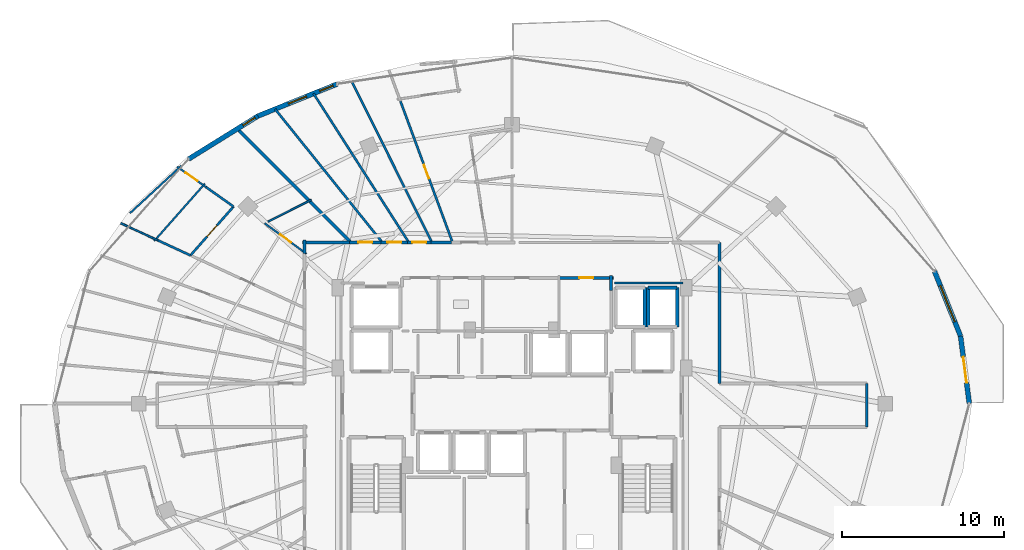
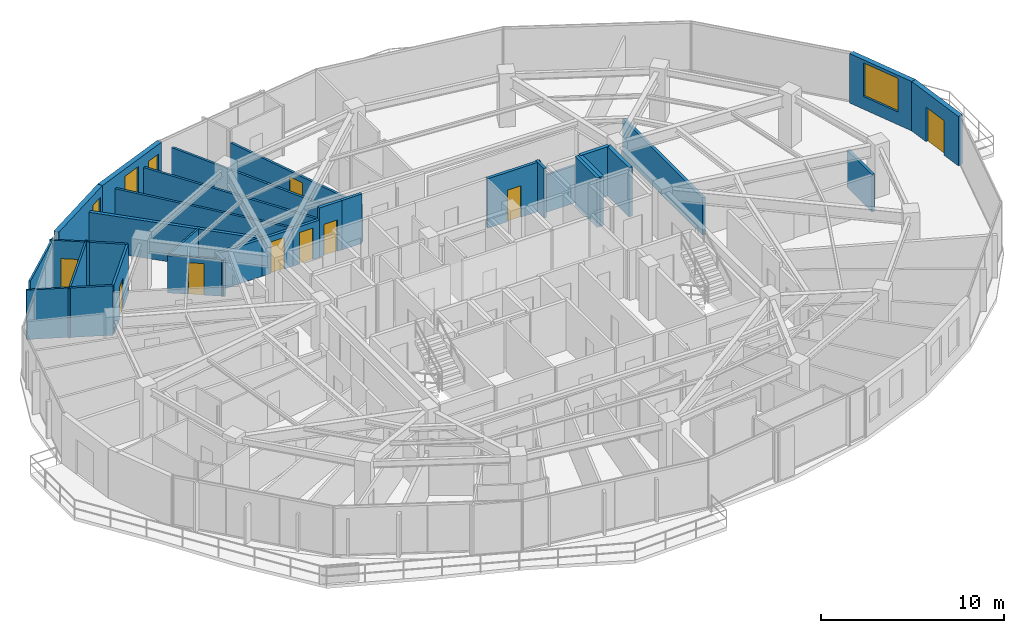
# One storey, part 29 of 33: 33 walls, 9 doors, 4 windows, 13 openings.
"""IFC4 building model written with IfcOpenShell, lengths in metres."""

from ifc_helpers import new_model, si_unit, direction, frame, frame_2d, origin, place, context, subcontext, project, spatial, rectangle, extrude, material, layer, layer_set, type_object, element, fill, save


model = new_model("IFC4")

# Units and contexts
model_context = context("Model", 3, precision=1e-05, world=origin(), true_north=direction((0.0, 1.0)))
body_context = subcontext(model_context, "Body", "Model", "MODEL_VIEW")
ifc_project = project(units=[si_unit("LENGTHUNIT", "METRE"), si_unit("AREAUNIT", "SQUARE_METRE"), si_unit("VOLUMEUNIT", "CUBIC_METRE"), si_unit("PLANEANGLEUNIT", "RADIAN"), si_unit("MASSUNIT", "GRAM", prefix="KILO")], contexts=[model_context])

# Site, building, storey
site_placement = place(None, origin())
site = spatial("IfcSite", under=ifc_project, at=site_placement, CompositionType="ELEMENT")
building_placement = place(site_placement, origin())
building = spatial("IfcBuilding", under=site, at=building_placement, Name="Vorneva Point Tower", CompositionType="ELEMENT")
storey_placement = place(building_placement, frame((0.0, 0.0, 200.10009765625)))
storey = spatial("IfcBuildingStorey", under=building, at=storey_placement, Name="L54", CompositionType="ELEMENT", Elevation=200.10009765625)

# Wall, opening, door
ifc_material_1 = material(Name="Precast concrete B50 (C40/50)", Category="concrete")
ifc_layer_1 = layer(ifc_material_1, 0.300048828125)
ifc_layer_set_1 = layer_set([ifc_layer_1], Name="Precast concrete B50 (C40/50)")
wall_type_1 = type_object("IfcWallType", Name="WL-EXT-300", PredefinedType="STANDARD", material=ifc_layer_set_1)
wall_1_placement = place(storey_placement, frame((66.22998046875, 26.0, 0.0), z_axis=(0.0, 0.0, 1.0), x_axis=(-0.129147853268, 0.991625348605, 0.0)))
wall_1 = element("IfcWall", 1, at=wall_1_placement, inside=storey, type_object=wall_type_1, Name="L54 Pale-Metal Facade Spandrel Wall 01.1", PredefinedType="STANDARD", context=body_context, shape_type="SweptSolid", body=[
    extrude(rectangle(XDim=4.200439453125, YDim=0.300048828125, at=frame_2d((2.10009765625, 0.0))), origin(), (0.0, 0.0, 1.0), 3.289794921875),
])
opening_1_placement = place(wall_1_placement, frame((1.30029296875, 0.0, 0.0)))
opening_1 = element("IfcOpeningElement", 2, at=opening_1_placement, cuts=wall_1, Name="Opening BD-01", PredefinedType="OPENING", context=body_context, shape_type="SweptSolid", body=[
    extrude(rectangle(XDim=1.60009765625, YDim=2.300048828125, at=frame_2d((0.800048828125, 1.14990234375))), frame((0.0, 0.1650390625, 0.0), z_axis=(0.0, -1.0, 0.0), x_axis=(1.0, 0.0, 0.0)), (0.0, 0.0, 1.0), 0.329833984375),
])
ifc_material_2 = material(Name="Pale anodised aluminium", Category="aluminium")
door_type_1 = type_object("IfcDoorType", Name="DR-BAL-1600", OperationType="SLIDING_TO_LEFT", PredefinedType="DOOR", material=ifc_material_2)
door_1_placement = place(opening_1_placement, origin())
door_1 = element("IfcDoor", 3, at=door_1_placement, inside=storey, type_object=door_type_1, Name="L54 Balcony Terrace Access Door 01", OperationType="SLIDING_TO_LEFT", OverallHeight=2.300048828125, OverallWidth=1.60009765625, PredefinedType="DOOR", context=body_context, shape_type="SweptSolid", body=[
    extrude(rectangle(XDim=1.60009765625, YDim=2.300048828125, at=frame_2d((0.800048828125, 1.14990234375))), frame((0.0, 0.02490234375, 0.0), z_axis=(0.0, -1.0, 0.0), x_axis=(1.0, 0.0, 0.0)), (0.0, 0.0, 1.0), 0.050048828125),
])
fill(opening_1, door_1)

# Wall, opening, window
wall_2_placement = place(storey_placement, frame((65.6875, 30.165283203125, 0.0), z_axis=(0.0, 0.0, 1.0), x_axis=(-0.372268409848, 0.928125116043, 0.0)))
wall_2 = element("IfcWall", 4, at=wall_2_placement, inside=storey, type_object=wall_type_1, Name="L54 Pale-Metal Facade Spandrel Wall 01.2", PredefinedType="STANDARD", context=body_context, shape_type="SweptSolid", body=[
    extrude(rectangle(XDim=4.315185546875, YDim=0.300048828125, at=frame_2d((2.15771484375, 0.0))), origin(), (0.0, 0.0, 1.0), 3.289794921875),
])
opening_2_placement = place(wall_2_placement, frame((0.95751953125, 0.0, 0.85009765625)))
opening_2 = element("IfcOpeningElement", 5, at=opening_2_placement, cuts=wall_2, Name="Opening W-03", PredefinedType="OPENING", context=body_context, shape_type="SweptSolid", body=[
    extrude(rectangle(XDim=2.39990234375, YDim=2.239990234375, at=frame_2d((1.199951171875, 1.1201171875))), frame((0.0, 0.1650390625, 0.0), z_axis=(0.0, -1.0, 0.0), x_axis=(1.0, 0.0, 0.0)), (0.0, 0.0, 1.0), 0.329833984375),
])
ifc_material_3 = material(Name="Double low-e laminated glass IGU", Category="glass")
window_type_1 = type_object("IfcWindowType", Name="WN-RES-2400", PartitioningType="SINGLE_PANEL", PredefinedType="WINDOW", material=ifc_material_3)
window_1_placement = place(opening_2_placement, origin())
window_1 = element("IfcWindow", 6, at=window_1_placement, inside=storey, type_object=window_type_1, Name="L54 Facade Window 01", OverallHeight=2.239990234375, OverallWidth=2.39990234375, PartitioningType="SINGLE_PANEL", PredefinedType="WINDOW", context=body_context, shape_type="SweptSolid", body=[
    extrude(rectangle(XDim=2.39990234375, YDim=2.239990234375, at=frame_2d((1.199951171875, 1.1201171875))), frame((0.0, 0.030029296875, 0.0), z_axis=(0.0, -1.0, 0.0), x_axis=(1.0, 0.0, 0.0)), (0.0, 0.0, 1.0), 0.06005859375),
])
fill(opening_2, window_1)

# Wall, openings, windows
wall_3_placement = place(storey_placement, frame((27.19677734375, 45.724853515625, 0.0), z_axis=(0.0, 0.0, 1.0), x_axis=(-0.927111094334, -0.374786630981, 0.0)))
wall_3 = element("IfcWall", 7, at=wall_3_placement, inside=storey, type_object=wall_type_1, Name="L54 Pale-Metal Facade Spandrel Wall 06.1", PredefinedType="STANDARD", context=body_context, shape_type="SweptSolid", body=[
    extrude(rectangle(XDim=5.26416015625, YDim=0.300048828125, at=frame_2d((2.632080078125, 0.0))), origin(), (0.0, 0.0, 1.0), 3.289794921875),
])
opening_3_placement = place(wall_3_placement, frame((0.25830078125, 0.0, 0.85009765625)))
opening_3 = element("IfcOpeningElement", 8, at=opening_3_placement, cuts=wall_3, Name="Opening W-08", PredefinedType="OPENING", context=body_context, shape_type="SweptSolid", body=[
    extrude(rectangle(XDim=0.89990234375, YDim=1.800048828125, at=frame_2d((0.449951171875, 0.89990234375))), frame((0.0, 0.1650390625, 0.0), z_axis=(0.0, -1.0, 0.0), x_axis=(1.0, 0.0, 0.0)), (0.0, 0.0, 1.0), 0.329833984375),
])
opening_4_placement = place(wall_3_placement, frame((2.031982421875, 0.0, 0.85009765625)))
opening_4 = element("IfcOpeningElement", 9, at=opening_4_placement, cuts=wall_3, Name="Opening W-04", PredefinedType="OPENING", context=body_context, shape_type="SweptSolid", body=[
    extrude(rectangle(XDim=1.199951171875, YDim=1.949951171875, at=frame_2d((0.60009765625, 0.97509765625))), frame((0.0, 0.1650390625, 0.0), z_axis=(0.0, -1.0, 0.0), x_axis=(1.0, 0.0, 0.0)), (0.0, 0.0, 1.0), 0.329833984375),
])
window_type_2 = type_object("IfcWindowType", Name="WN-CAS-900", PartitioningType="SINGLE_PANEL", PredefinedType="WINDOW", material=ifc_material_3)
window_2_placement = place(opening_3_placement, origin())
window_2 = element("IfcWindow", 10, at=window_2_placement, inside=storey, type_object=window_type_2, Name="L54 Dwelling Vision Window 01", OverallHeight=1.800048828125, OverallWidth=0.89990234375, PartitioningType="SINGLE_PANEL", PredefinedType="WINDOW", context=body_context, shape_type="SweptSolid", body=[
    extrude(rectangle(XDim=0.89990234375, YDim=1.800048828125, at=frame_2d((0.449951171875, 0.89990234375))), frame((0.0, 0.030029296875, 0.0), z_axis=(0.0, -1.0, 0.0), x_axis=(1.0, 0.0, 0.0)), (0.0, 0.0, 1.0), 0.06005859375),
])
fill(opening_3, window_2)
window_type_3 = type_object("IfcWindowType", Name="WN-RES-1200", PartitioningType="SINGLE_PANEL", PredefinedType="WINDOW", material=ifc_material_3)
window_3_placement = place(opening_4_placement, origin())
window_3 = element("IfcWindow", 11, at=window_3_placement, inside=storey, type_object=window_type_3, Name="L54 Dwelling Vision Window 02", OverallHeight=1.949951171875, OverallWidth=1.199951171875, PartitioningType="SINGLE_PANEL", PredefinedType="WINDOW", context=body_context, shape_type="SweptSolid", body=[
    extrude(rectangle(XDim=1.199951171875, YDim=1.949951171875, at=frame_2d((0.60009765625, 0.97509765625))), frame((0.0, 0.030029296875, 0.0), z_axis=(0.0, -1.0, 0.0), x_axis=(1.0, 0.0, 0.0)), (0.0, 0.0, 1.0), 0.06005859375),
])
fill(opening_4, window_3)

# Wall, opening, window
wall_4_placement = place(storey_placement, frame((22.31640625, 43.751953125, 0.0), z_axis=(0.0, 0.0, 1.0), x_axis=(-0.849647657754, -0.527350791858, 0.0)))
wall_4 = element("IfcWall", 12, at=wall_4_placement, inside=storey, type_object=wall_type_1, Name="L54 Pale-Metal Facade Spandrel Wall 06.2", PredefinedType="STANDARD", context=body_context, shape_type="SweptSolid", body=[
    extrude(rectangle(XDim=5.03515625, YDim=0.300048828125, at=frame_2d((2.517578125, 0.0))), origin(), (0.0, 0.0, 1.0), 3.289794921875),
])
opening_5_placement = place(wall_4_placement, frame((0.19921875, 0.0, 0.85009765625)))
opening_5 = element("IfcOpeningElement", 13, at=opening_5_placement, cuts=wall_4, Name="Opening W-08", PredefinedType="OPENING", context=body_context, shape_type="SweptSolid", body=[
    extrude(rectangle(XDim=0.89990234375, YDim=1.800048828125, at=frame_2d((0.449951171875, 0.89990234375))), frame((0.0, 0.1650390625, 0.0), z_axis=(0.0, -1.0, 0.0), x_axis=(1.0, 0.0, 0.0)), (0.0, 0.0, 1.0), 0.329833984375),
])
window_4_placement = place(opening_5_placement, origin())
window_4 = element("IfcWindow", 14, at=window_4_placement, inside=storey, type_object=window_type_2, Name="L54 Dwelling Vision Window 03", OverallHeight=1.800048828125, OverallWidth=0.89990234375, PartitioningType="SINGLE_PANEL", PredefinedType="WINDOW", context=body_context, shape_type="SweptSolid", body=[
    extrude(rectangle(XDim=0.89990234375, YDim=1.800048828125, at=frame_2d((0.449951171875, 0.89990234375))), frame((0.0, 0.030029296875, 0.0), z_axis=(0.0, -1.0, 0.0), x_axis=(1.0, 0.0, 0.0)), (0.0, 0.0, 1.0), 0.06005859375),
])
fill(opening_5, window_4)

# Wall, opening, door
ifc_material_4 = material(Name="Fire-rated acoustic gypsum stud partition", Category="gypsum")
ifc_layer_2 = layer(ifc_material_4, 0.110107421875)
ifc_layer_set_2 = layer_set([ifc_layer_2], Name="Fire-rated acoustic gypsum stud partition")
wall_type_2 = type_object("IfcWallType", Name="WL-PART-110", PredefinedType="PARTITIONING", material=ifc_layer_set_2)
wall_5_placement = place(storey_placement, frame((25.31298828125, 35.24755859375, 0.0), z_axis=(0.0, 0.0, 1.0), x_axis=(-0.807968083988, 0.58922625133, 0.0)))
wall_5 = element("IfcWall", 15, at=wall_5_placement, inside=storey, type_object=wall_type_2, Name="L54 Interior Partition 087", PredefinedType="PARTITIONING", context=body_context, shape_type="SweptSolid", body=[
    extrude(rectangle(XDim=3.192138671875, YDim=0.110107421875, at=frame_2d((1.59619140625, 0.0))), origin(), (0.0, 0.0, 1.0), 2.48193359375),
])
opening_6_placement = place(wall_5_placement, frame((1.171142578125, 0.0, 0.0)))
opening_6 = element("IfcOpeningElement", 16, at=opening_6_placement, cuts=wall_5, Name="Opening ID-02", PredefinedType="OPENING", context=body_context, shape_type="SweptSolid", body=[
    extrude(rectangle(XDim=0.85009765625, YDim=2.10009765625, at=frame_2d((0.425048828125, 1.050048828125))), frame((0.0, 0.06982421875, 0.0), z_axis=(0.0, -1.0, 0.0), x_axis=(1.0, 0.0, 0.0)), (0.0, 0.0, 1.0), 0.139892578125),
])
ifc_material_5 = material(Name="Engineered oak fire-rated door leaf", Category="wood")
door_type_2 = type_object("IfcDoorType", Name="DR-BATH-850", OperationType="NOTDEFINED", PredefinedType="DOOR", material=ifc_material_5)
door_2_placement = place(opening_6_placement, origin())
door_2 = element("IfcDoor", 17, at=door_2_placement, inside=storey, type_object=door_type_2, Name="L54 Door Living and Dining Room L54-02 / Bathroom L54-02", OperationType="SINGLE_SWING_RIGHT", OverallHeight=2.10009765625, OverallWidth=0.85009765625, PredefinedType="DOOR", context=body_context, shape_type="SweptSolid", body=[
    extrude(rectangle(XDim=0.85009765625, YDim=2.10009765625, at=frame_2d((0.425048828125, 1.050048828125))), frame((0.0, 0.02490234375, 0.0), z_axis=(0.0, -1.0, 0.0), x_axis=(1.0, 0.0, 0.0)), (0.0, 0.0, 1.0), 0.050048828125),
])
fill(opening_6, door_2)

# Walls
wall_6_placement = place(storey_placement, frame((22.941162109375, 37.23095703125, 0.0), z_axis=(0.0, 0.0, 1.0), x_axis=(0.892507731149, 0.451032094024, 0.0)))
element("IfcWall", 18, at=wall_6_placement, inside=storey, type_object=wall_type_2, Name="L54 Interior Partition 088", PredefinedType="PARTITIONING", context=body_context, shape_type="SweptSolid", body=[
    extrude(rectangle(XDim=2.989013671875, YDim=0.110107421875, at=frame_2d((1.49462890625, 0.0))), origin(), (0.0, 0.0, 1.0), 2.48193359375),
])
wall_7_placement = place(storey_placement, frame((17.58984375, 40.681884765625, 0.0), z_axis=(0.0, 0.0, 1.0), x_axis=(-0.734861902375, -0.678216768031, 0.0)))
element("IfcWall", 19, at=wall_7_placement, inside=storey, type_object=wall_type_2, Name="L54 Interior Partition 089", PredefinedType="PARTITIONING", context=body_context, shape_type="SweptSolid", body=[
    extrude(rectangle(XDim=4.322998046875, YDim=0.110107421875, at=frame_2d((2.16162109375, 0.0))), origin(), (0.0, 0.0, 1.0), 3.289794921875),
])

# Wall, opening, door
wall_8_placement = place(storey_placement, frame((17.32763671875, 40.625732421875, 0.0), z_axis=(0.0, 0.0, 1.0), x_axis=(0.816448938693, -0.577417639588, 0.0)))
wall_8 = element("IfcWall", 20, at=wall_8_placement, inside=storey, type_object=wall_type_2, Name="L54 Interior Partition 090", PredefinedType="PARTITIONING", context=body_context, shape_type="SweptSolid", body=[
    extrude(rectangle(XDim=2.19189453125, YDim=0.110107421875, at=frame_2d((1.095947265625, 0.0))), origin(), (0.0, 0.0, 1.0), 3.289794921875),
])
opening_7_placement = place(wall_8_placement, frame((0.64599609375, 0.0, 0.0)))
opening_7 = element("IfcOpeningElement", 21, at=opening_7_placement, cuts=wall_8, Name="Opening ID-01", PredefinedType="OPENING", context=body_context, shape_type="SweptSolid", body=[
    extrude(rectangle(XDim=0.89990234375, YDim=2.10009765625, at=frame_2d((0.449951171875, 1.050048828125))), frame((0.0, 0.06982421875, 0.0), z_axis=(0.0, -1.0, 0.0), x_axis=(1.0, 0.0, 0.0)), (0.0, 0.0, 1.0), 0.139892578125),
])
door_type_3 = type_object("IfcDoorType", Name="DR-ROOM-900", OperationType="NOTDEFINED", PredefinedType="DOOR", material=ifc_material_5)
door_3_placement = place(opening_7_placement, origin())
door_3 = element("IfcDoor", 22, at=door_3_placement, inside=storey, type_object=door_type_3, Name="L54 Door Living and Dining Room L54-02 / Kitchen L54-02", OperationType="SINGLE_SWING_RIGHT", OverallHeight=2.10009765625, OverallWidth=0.89990234375, PredefinedType="DOOR", context=body_context, shape_type="SweptSolid", body=[
    extrude(rectangle(XDim=0.89990234375, YDim=2.10009765625, at=frame_2d((0.449951171875, 1.050048828125))), frame((0.0, 0.02490234375, 0.0), z_axis=(0.0, -1.0, 0.0), x_axis=(1.0, 0.0, 0.0)), (0.0, 0.0, 1.0), 0.050048828125),
])
fill(opening_7, door_3)

# Walls
wall_9_placement = place(storey_placement, frame((15.913330078125, 36.0341796875, 0.0), z_axis=(0.0, 0.0, 1.0), x_axis=(0.662189711464, 0.749336230294, 0.0)))
element("IfcWall", 23, at=wall_9_placement, inside=storey, type_object=wall_type_2, Name="L54 Interior Partition 095", PredefinedType="PARTITIONING", context=body_context, shape_type="SweptSolid", body=[
    extrude(rectangle(XDim=4.731689453125, YDim=0.110107421875, at=frame_2d((2.36572265625, 0.0))), origin(), (0.0, 0.0, 1.0), 3.289794921875),
])
wall_10_placement = place(storey_placement, frame((13.846923828125, 37.134521484375, 0.0), z_axis=(0.0, 0.0, 1.0), x_axis=(0.908101251341, -0.418750662462, 0.0)))
element("IfcWall", 24, at=wall_10_placement, inside=storey, type_object=wall_type_2, Name="L54 Interior Partition 096", PredefinedType="PARTITIONING", context=body_context, shape_type="SweptSolid", body=[
    extrude(rectangle(XDim=2.517578125, YDim=0.110107421875, at=frame_2d((1.2587890625, 0.0))), origin(), (0.0, 0.0, 1.0), 3.289794921875),
])

# Wall, opening, door
ifc_layer_3 = layer(ifc_material_4, 0.139892578125)
ifc_layer_set_3 = layer_set([ifc_layer_3], Name="Fire-rated acoustic gypsum stud partition")
wall_type_3 = type_object("IfcWallType", Name="WL-PART-140", PredefinedType="PARTITIONING", material=ifc_layer_set_3)
wall_11_placement = place(storey_placement, frame((31.1123046875, 44.669677734375, 0.0), z_axis=(0.0, 0.0, 1.0), x_axis=(0.346109472243, -0.938194134081, 0.0)))
wall_11 = element("IfcWall", 25, at=wall_11_placement, inside=storey, type_object=wall_type_3, Name="L54 Interior Partition 081", PredefinedType="PARTITIONING", context=body_context, shape_type="SweptSolid", body=[
    extrude(rectangle(XDim=9.294189453125, YDim=0.139892578125, at=frame_2d((4.64697265625, 0.0))), origin(), (0.0, 0.0, 1.0), 2.48193359375),
])
opening_8_placement = place(wall_11_placement, frame((4.197021484375, 0.0, 0.0)))
opening_8 = element("IfcOpeningElement", 26, at=opening_8_placement, cuts=wall_11, Name="Opening ID-01", PredefinedType="OPENING", context=body_context, shape_type="SweptSolid", body=[
    extrude(rectangle(XDim=0.89990234375, YDim=2.10009765625, at=frame_2d((0.449951171875, 1.050048828125))), frame((0.0, 0.0849609375, 0.0), z_axis=(0.0, -1.0, 0.0), x_axis=(1.0, 0.0, 0.0)), (0.0, 0.0, 1.0), 0.169677734375),
])
door_4_placement = place(opening_8_placement, origin())
door_4 = element("IfcDoor", 27, at=door_4_placement, inside=storey, type_object=door_type_3, Name="L54 Door Living and Dining Room L54-01 / Master Bedroom L54-01.1", OperationType="SINGLE_SWING_LEFT", OverallHeight=2.10009765625, OverallWidth=0.89990234375, PredefinedType="DOOR", context=body_context, shape_type="SweptSolid", body=[
    extrude(rectangle(XDim=0.89990234375, YDim=2.10009765625, at=frame_2d((0.449951171875, 1.050048828125))), frame((0.0, 0.02490234375, 0.0), z_axis=(0.0, -1.0, 0.0), x_axis=(1.0, 0.0, 0.0)), (0.0, 0.0, 1.0), 0.050048828125),
])
fill(opening_8, door_4)

# Walls
wall_12_placement = place(storey_placement, frame((28.091064453125, 45.927978515625, 0.0), z_axis=(0.0, 0.0, 1.0), x_axis=(0.445267068418, -0.895397809793, 0.0)))
element("IfcWall", 28, at=wall_12_placement, inside=storey, type_object=wall_type_3, Name="L54 Interior Partition 083", PredefinedType="PARTITIONING", context=body_context, shape_type="SweptSolid", body=[
    extrude(rectangle(XDim=11.143798828125, YDim=0.139892578125, at=frame_2d((5.57177734375, 0.0))), origin(), (0.0, 0.0, 1.0), 2.48193359375),
])
wall_13_placement = place(storey_placement, frame((25.7490234375, 45.137939453125, 0.0), z_axis=(0.0, 0.0, 1.0), x_axis=(0.539168632786, -0.842197830335, 0.0)))
element("IfcWall", 29, at=wall_13_placement, inside=storey, type_object=wall_type_3, Name="L54 Interior Partition 084", PredefinedType="PARTITIONING", context=body_context, shape_type="SweptSolid", body=[
    extrude(rectangle(XDim=10.909423828125, YDim=0.139892578125, at=frame_2d((5.45458984375, 0.0))), origin(), (0.0, 0.0, 1.0), 2.48193359375),
])
wall_14_placement = place(storey_placement, frame((23.3779296875, 44.177978515625, 0.0), z_axis=(0.0, 0.0, 1.0), x_axis=(0.626756813732, -0.779214923137, 0.0)))
element("IfcWall", 30, at=wall_14_placement, inside=storey, type_object=wall_type_3, Name="L54 Interior Partition 085", PredefinedType="PARTITIONING", context=body_context, shape_type="SweptSolid", body=[
    extrude(rectangle(XDim=10.559326171875, YDim=0.139892578125, at=frame_2d((5.27978515625, 0.0))), origin(), (0.0, 0.0, 1.0), 2.48193359375),
])

# Wall, opening, door
wall_15_placement = place(storey_placement, frame((20.81201171875, 38.160888671875, 0.0), z_axis=(0.0, 0.0, 1.0), x_axis=(-0.662063683649, -0.749447582418, 0.0)))
wall_15 = element("IfcWall", 31, at=wall_15_placement, inside=storey, type_object=wall_type_3, Name="L54 Interior Partition 091", PredefinedType="PARTITIONING", context=body_context, shape_type="SweptSolid", body=[
    extrude(rectangle(XDim=4.017578125, YDim=0.139892578125, at=frame_2d((2.0087890625, 0.0))), origin(), (0.0, 0.0, 1.0), 3.289794921875),
])
opening_9_placement = place(wall_15_placement, frame((1.558837890625, 0.0, 0.0)))
opening_9 = element("IfcOpeningElement", 32, at=opening_9_placement, cuts=wall_15, Name="Opening ID-01", PredefinedType="OPENING", context=body_context, shape_type="SweptSolid", body=[
    extrude(rectangle(XDim=0.89990234375, YDim=2.10009765625, at=frame_2d((0.449951171875, 1.050048828125))), frame((0.0, 0.0849609375, 0.0), z_axis=(0.0, -1.0, 0.0), x_axis=(1.0, 0.0, 0.0)), (0.0, 0.0, 1.0), 0.169677734375),
])
door_5_placement = place(opening_9_placement, origin())
door_5 = element("IfcDoor", 33, at=door_5_placement, inside=storey, type_object=door_type_3, Name="L54 Door Living and Dining Room L54-02 / Study Room L54-02", OperationType="SINGLE_SWING_LEFT", OverallHeight=2.10009765625, OverallWidth=0.89990234375, PredefinedType="DOOR", context=body_context, shape_type="SweptSolid", body=[
    extrude(rectangle(XDim=0.89990234375, YDim=2.10009765625, at=frame_2d((0.449951171875, 1.050048828125))), frame((0.0, 0.02490234375, 0.0), z_axis=(0.0, -1.0, 0.0), x_axis=(1.0, 0.0, 0.0)), (0.0, 0.0, 1.0), 0.050048828125),
])
fill(opening_9, door_5)

# Walls
wall_16_placement = place(storey_placement, frame((18.152099609375, 35.14990234375, 0.0), z_axis=(0.0, 0.0, 1.0), x_axis=(-0.908192094718, 0.418553603607, 0.0)))
element("IfcWall", 34, at=wall_16_placement, inside=storey, type_object=wall_type_3, Name="L54 Interior Partition 092", PredefinedType="PARTITIONING", context=body_context, shape_type="SweptSolid", body=[
    extrude(rectangle(XDim=2.363037109375, YDim=0.139892578125, at=frame_2d((1.181640625, 0.0))), origin(), (0.0, 0.0, 1.0), 3.289794921875),
])
wall_17_placement = place(storey_placement, frame((19.1171875, 39.360107421875, 0.0), z_axis=(0.0, 0.0, 1.0), x_axis=(0.816315567802, -0.577606175316, 0.0)))
element("IfcWall", 35, at=wall_17_placement, inside=storey, type_object=wall_type_3, Name="L54 Interior Partition 093", PredefinedType="PARTITIONING", context=body_context, shape_type="SweptSolid", body=[
    extrude(rectangle(XDim=2.076171875, YDim=0.139892578125, at=frame_2d((1.0380859375, 0.0))), origin(), (0.0, 0.0, 1.0), 3.289794921875),
])
wall_18_placement = place(storey_placement, frame((48.550048828125, 33.449951171875, 0.0), z_axis=(0.0, 0.0, 1.0), x_axis=(-1.0, 0.0, 0.0)))
element("IfcWall", 36, at=wall_18_placement, inside=storey, type_object=wall_type_3, Name="L54 Interior Closure Partition 167", PredefinedType="PARTITIONING", context=body_context, shape_type="SweptSolid", body=[
    extrude(rectangle(XDim=4.2099609375, YDim=0.139892578125, at=frame_2d((2.10498046875, 0.0))), origin(), (0.0, 0.0, 1.0), 2.48193359375),
])

# Wall, opening, door
ifc_material_6 = material(Name="Autoclaved aerated concrete blockwork", Category="masonry")
ifc_layer_4 = layer(ifc_material_6, 0.179931640625)
ifc_layer_set_4 = layer_set([ifc_layer_4], Name="Autoclaved aerated concrete blockwork")
wall_type_4 = type_object("IfcWallType", Name="WL-PART-180", PredefinedType="PARTITIONING", material=ifc_layer_set_4)
wall_19_placement = place(storey_placement, frame((44.260009765625, 33.760009765625, 0.0), z_axis=(0.0, 0.0, 1.0), x_axis=(-1.0, 0.0, 0.0)))
wall_19 = element("IfcWall", 37, at=wall_19_placement, inside=storey, type_object=wall_type_4, Name="L54 Interior Partition 024", PredefinedType="PARTITIONING", context=body_context, shape_type="SweptSolid", body=[
    extrude(rectangle(XDim=3.360107421875, YDim=0.179931640625, at=frame_2d((1.68017578125, 0.0))), origin(), (0.0, 0.0, 1.0), 3.289794921875),
])
opening_10_placement = place(wall_19_placement, frame((1.2548828125, 0.0, 0.0)))
opening_10 = element("IfcOpeningElement", 38, at=opening_10_placement, cuts=wall_19, Name="Opening ID-02", PredefinedType="OPENING", context=body_context, shape_type="SweptSolid", body=[
    extrude(rectangle(XDim=0.85009765625, YDim=2.10009765625, at=frame_2d((0.425048828125, 1.050048828125))), frame((0.0, 0.10498046875, 0.0), z_axis=(0.0, -1.0, 0.0), x_axis=(1.0, 0.0, 0.0)), (0.0, 0.0, 1.0), 0.209716796875),
])
door_6_placement = place(opening_10_placement, origin())
door_6 = element("IfcDoor", 39, at=door_6_placement, inside=storey, type_object=door_type_2, Name="L54 Door Accessible WC / L54 Circulation Corridor", OperationType="SINGLE_SWING_LEFT", OverallHeight=2.10009765625, OverallWidth=0.85009765625, PredefinedType="DOOR", context=body_context, shape_type="SweptSolid", body=[
    extrude(rectangle(XDim=0.85009765625, YDim=2.10009765625, at=frame_2d((0.425048828125, 1.050048828125))), frame((0.0, 0.02490234375, 0.0), z_axis=(0.0, -1.0, 0.0), x_axis=(1.0, 0.0, 0.0)), (0.0, 0.0, 1.0), 0.050048828125),
])
fill(opening_10, door_6)

# Walls
wall_20_placement = place(storey_placement, frame((44.1201171875, 32.969970703125, 0.0), z_axis=(0.0, 0.0, 1.0), x_axis=(0.0, 1.0, 0.0)))
element("IfcWall", 40, at=wall_20_placement, inside=storey, type_object=wall_type_4, Name="L54 Interior Partition 025", PredefinedType="PARTITIONING", context=body_context, shape_type="SweptSolid", body=[
    extrude(rectangle(XDim=0.929931640625, YDim=0.179931640625, at=frame_2d((0.46484375, 0.0))), origin(), (0.0, 0.0, 1.0), 3.289794921875),
])
wall_21_placement = place(storey_placement, frame((34.264892578125, 35.949951171875, 0.0), z_axis=(0.0, 0.0, 1.0), x_axis=(-1.0, 0.0, 0.0)))
element("IfcWall", 41, at=wall_21_placement, inside=storey, type_object=wall_type_4, Name="L54 Interior Partition 031", PredefinedType="PARTITIONING", context=body_context, shape_type="SweptSolid", body=[
    extrude(rectangle(XDim=1.27880859375, YDim=0.179931640625, at=frame_2d((0.639404296875, 0.0))), origin(), (0.0, 0.0, 1.0), 3.289794921875),
])

# Wall, opening, door
wall_22_placement = place(storey_placement, frame((32.986083984375, 35.949951171875, 0.0), z_axis=(0.0, 0.0, 1.0), x_axis=(-1.0, 0.0, 0.0)))
wall_22 = element("IfcWall", 42, at=wall_22_placement, inside=storey, type_object=wall_type_4, Name="L54 Interior Partition 032", PredefinedType="PARTITIONING", context=body_context, shape_type="SweptSolid", body=[
    extrude(rectangle(XDim=1.426025390625, YDim=0.179931640625, at=frame_2d((0.712890625, 0.0))), origin(), (0.0, 0.0, 1.0), 3.289794921875),
])
opening_11_placement = place(wall_22_placement, frame((0.2880859375, 0.0, 0.0)))
opening_11 = element("IfcOpeningElement", 43, at=opening_11_placement, cuts=wall_22, Name="Opening ID-02", PredefinedType="OPENING", context=body_context, shape_type="SweptSolid", body=[
    extrude(rectangle(XDim=0.85009765625, YDim=2.10009765625, at=frame_2d((0.425048828125, 1.050048828125))), frame((0.0, 0.10498046875, 0.0), z_axis=(0.0, -1.0, 0.0), x_axis=(1.0, 0.0, 0.0)), (0.0, 0.0, 1.0), 0.209716796875),
])
door_7_placement = place(opening_11_placement, origin())
door_7 = element("IfcDoor", 44, at=door_7_placement, inside=storey, type_object=door_type_2, Name="L54 Access Door L54 Circulation Corridor", OperationType="SINGLE_SWING_RIGHT", OverallHeight=2.10009765625, OverallWidth=0.85009765625, PredefinedType="DOOR", context=body_context, shape_type="SweptSolid", body=[
    extrude(rectangle(XDim=0.85009765625, YDim=2.10009765625, at=frame_2d((0.425048828125, 1.050048828125))), frame((0.0, 0.02490234375, 0.0), z_axis=(0.0, -1.0, 0.0), x_axis=(1.0, 0.0, 0.0)), (0.0, 0.0, 1.0), 0.050048828125),
])
fill(opening_11, door_7)

wall_23_placement = place(storey_placement, frame((31.56005859375, 35.949951171875, 0.0), z_axis=(0.0, 0.0, 1.0), x_axis=(-1.0, 0.0, 0.0)))
wall_23 = element("IfcWall", 45, at=wall_23_placement, inside=storey, type_object=wall_type_4, Name="L54 Interior Partition 033", PredefinedType="PARTITIONING", context=body_context, shape_type="SweptSolid", body=[
    extrude(rectangle(XDim=1.64111328125, YDim=0.179931640625, at=frame_2d((0.820556640625, 0.0))), origin(), (0.0, 0.0, 1.0), 2.48193359375),
])
opening_12_placement = place(wall_23_placement, frame((0.3955078125, 0.0, 0.0)))
opening_12 = element("IfcOpeningElement", 46, at=opening_12_placement, cuts=wall_23, Name="Opening ID-02", PredefinedType="OPENING", context=body_context, shape_type="SweptSolid", body=[
    extrude(rectangle(XDim=0.85009765625, YDim=2.10009765625, at=frame_2d((0.425048828125, 1.050048828125))), frame((0.0, 0.10498046875, 0.0), z_axis=(0.0, -1.0, 0.0), x_axis=(1.0, 0.0, 0.0)), (0.0, 0.0, 1.0), 0.209716796875),
])
door_8_placement = place(opening_12_placement, origin())
door_8 = element("IfcDoor", 47, at=door_8_placement, inside=storey, type_object=door_type_2, Name="L54 Access Door L54 Circulation Corridor", OperationType="SINGLE_SWING_LEFT", OverallHeight=2.10009765625, OverallWidth=0.85009765625, PredefinedType="DOOR", context=body_context, shape_type="SweptSolid", body=[
    extrude(rectangle(XDim=0.85009765625, YDim=2.10009765625, at=frame_2d((0.425048828125, 1.050048828125))), frame((0.0, 0.02490234375, 0.0), z_axis=(0.0, -1.0, 0.0), x_axis=(1.0, 0.0, 0.0)), (0.0, 0.0, 1.0), 0.050048828125),
])
fill(opening_12, door_8)

wall_24_placement = place(storey_placement, frame((29.9189453125, 35.949951171875, 0.0), z_axis=(0.0, 0.0, 1.0), x_axis=(-1.0, 0.0, 0.0)))
wall_24 = element("IfcWall", 48, at=wall_24_placement, inside=storey, type_object=wall_type_4, Name="L54 Interior Partition 034", PredefinedType="PARTITIONING", context=body_context, shape_type="SweptSolid", body=[
    extrude(rectangle(XDim=1.953857421875, YDim=0.179931640625, at=frame_2d((0.97705078125, 0.0))), origin(), (0.0, 0.0, 1.0), 2.48193359375),
])
opening_13_placement = place(wall_24_placement, frame((0.552001953125, 0.0, 0.0)))
opening_13 = element("IfcOpeningElement", 49, at=opening_13_placement, cuts=wall_24, Name="Opening ID-02", PredefinedType="OPENING", context=body_context, shape_type="SweptSolid", body=[
    extrude(rectangle(XDim=0.85009765625, YDim=2.10009765625, at=frame_2d((0.425048828125, 1.050048828125))), frame((0.0, 0.10498046875, 0.0), z_axis=(0.0, -1.0, 0.0), x_axis=(1.0, 0.0, 0.0)), (0.0, 0.0, 1.0), 0.209716796875),
])
door_9_placement = place(opening_13_placement, origin())
door_9 = element("IfcDoor", 50, at=door_9_placement, inside=storey, type_object=door_type_2, Name="L54 Access Door L54 Circulation Corridor", OperationType="SINGLE_SWING_RIGHT", OverallHeight=2.10009765625, OverallWidth=0.85009765625, PredefinedType="DOOR", context=body_context, shape_type="SweptSolid", body=[
    extrude(rectangle(XDim=0.85009765625, YDim=2.10009765625, at=frame_2d((0.425048828125, 1.050048828125))), frame((0.0, 0.02490234375, 0.0), z_axis=(0.0, -1.0, 0.0), x_axis=(1.0, 0.0, 0.0)), (0.0, 0.0, 1.0), 0.050048828125),
])
fill(opening_13, door_9)

# Walls
wall_25_placement = place(storey_placement, frame((28.10498046875, 35.949951171875, 0.0), z_axis=(0.0, 0.0, 1.0), x_axis=(-1.0, 0.0, 0.0)))
element("IfcWall", 51, at=wall_25_placement, inside=storey, type_object=wall_type_4, Name="L54 Interior Partition 036", PredefinedType="PARTITIONING", context=body_context, shape_type="SweptSolid", body=[
    extrude(rectangle(XDim=3.044921875, YDim=0.179931640625, at=frame_2d((1.5224609375, 0.0))), origin(), (0.0, 0.0, 1.0), 2.48193359375),
])
wall_26_placement = place(storey_placement, frame((25.199951171875, 36.090087890625, 0.0), z_axis=(0.0, 0.0, 1.0), x_axis=(0.0, -1.0, 0.0)))
element("IfcWall", 52, at=wall_26_placement, inside=storey, type_object=wall_type_4, Name="L54 Interior Partition 037", PredefinedType="PARTITIONING", context=body_context, shape_type="SweptSolid", body=[
    extrude(rectangle(XDim=0.826171875, YDim=0.179931640625, at=frame_2d((0.4130859375, 0.0))), origin(), (0.0, 0.0, 1.0), 2.48193359375),
])
wall_27_placement = place(storey_placement, frame((59.89990234375, 24.550048828125, 0.0), z_axis=(0.0, 0.0, 1.0), x_axis=(0.0, 1.0, 0.0)))
element("IfcWall", 53, at=wall_27_placement, inside=storey, type_object=wall_type_4, Name="L54 Interior Partition 070", PredefinedType="PARTITIONING", context=body_context, shape_type="SweptSolid", body=[
    extrude(rectangle(XDim=2.699951171875, YDim=0.179931640625, at=frame_2d((1.35009765625, 0.0))), origin(), (0.0, 0.0, 1.0), 2.48193359375),
])
wall_28_placement = place(storey_placement, frame((50.800048828125, 27.25, 0.0), z_axis=(0.0, 0.0, 1.0), x_axis=(0.0, 1.0, 0.0)))
element("IfcWall", 54, at=wall_28_placement, inside=storey, type_object=wall_type_4, Name="L54 Interior Partition 072", PredefinedType="PARTITIONING", context=body_context, shape_type="SweptSolid", body=[
    extrude(rectangle(XDim=8.699951171875, YDim=0.179931640625, at=frame_2d((4.35009765625, 0.0))), origin(), (0.0, 0.0, 1.0), 2.48193359375),
])
ifc_layer_5 = layer(ifc_material_6, 0.199951171875)
ifc_layer_set_5 = layer_set([ifc_layer_5], Name="Autoclaved aerated concrete blockwork")
wall_type_5 = type_object("IfcWallType", Name="WL-PART-200", PredefinedType="PARTITIONING", material=ifc_layer_set_5)
wall_29_placement = place(storey_placement, frame((21.041015625, 42.958984375, 0.0), z_axis=(0.0, 0.0, 1.0), x_axis=(0.707106781187, -0.707106781187, 0.0)))
element("IfcWall", 55, at=wall_29_placement, inside=storey, type_object=wall_type_5, Name="L54 Interior Partition 086", PredefinedType="PARTITIONING", context=body_context, shape_type="SweptSolid", body=[
    extrude(rectangle(XDim=9.912353515625, YDim=0.199951171875, at=frame_2d((4.9560546875, 0.0))), origin(), (0.0, 0.0, 1.0), 2.48193359375),
])
ifc_material_7 = material(Name="Concrete B50 (C40/50)", Category="concrete")
ifc_layer_6 = layer(ifc_material_7, 0.219970703125)
ifc_layer_set_6 = layer_set([ifc_layer_6], Name="Concrete B50 (C40/50)")
wall_type_6 = type_object("IfcWallType", Name="WL-SHFT-220", PredefinedType="SOLIDWALL", material=ifc_layer_set_6)
for number, where, z_axis, x_axis, name in (
    (56, (46.199951171875, 30.739990234375, 0.0), (0.0, 0.0, 1.0), (0.0, 1.0, 0.0), "L54 Lift EX1 Shaft Wall +X"),
    (57, (48.199951171875, 30.739990234375, 0.0), (0.0, 0.0, 1.0), (0.0, 1.0, 0.0), "L54 Lift EX2 Shaft Wall +X"),
):
    element("IfcWall", number, at=place(storey_placement, frame(where, z_axis=z_axis, x_axis=x_axis)), inside=storey, type_object=wall_type_6, Name=name, PredefinedType="SOLIDWALL", context=body_context, shape_type="SweptSolid", body=[
        extrude(rectangle(XDim=2.419921875, YDim=0.219970703125, at=frame_2d((1.2099609375, 0.0))), origin(), (0.0, 0.0, 1.0), 3.289794921875),
    ])
wall_30_placement = place(storey_placement, frame((48.199951171875, 33.159912109375, 0.0), z_axis=(0.0, 0.0, 1.0), x_axis=(-1.0, 0.0, 0.0)))
element("IfcWall", 58, at=wall_30_placement, inside=storey, type_object=wall_type_6, Name="L54 Lift EX2 Shaft Wall +Y", PredefinedType="SOLIDWALL", context=body_context, shape_type="SweptSolid", body=[
    extrude(rectangle(XDim=1.800048828125, YDim=0.219970703125, at=frame_2d((0.89990234375, 0.0))), origin(), (0.0, 0.0, 1.0), 3.289794921875),
])
wall_31_placement = place(storey_placement, frame((46.39990234375, 33.159912109375, 0.0), z_axis=(0.0, 0.0, 1.0), x_axis=(0.0, -1.0, 0.0)))
element("IfcWall", 59, at=wall_31_placement, inside=storey, type_object=wall_type_6, Name="L54 Lift EX2 Shaft Wall -X", PredefinedType="SOLIDWALL", context=body_context, shape_type="SweptSolid", body=[
    extrude(rectangle(XDim=2.419921875, YDim=0.219970703125, at=frame_2d((1.2099609375, 0.0))), origin(), (0.0, 0.0, 1.0), 3.289794921875),
])

save(model, "model.ifc")
